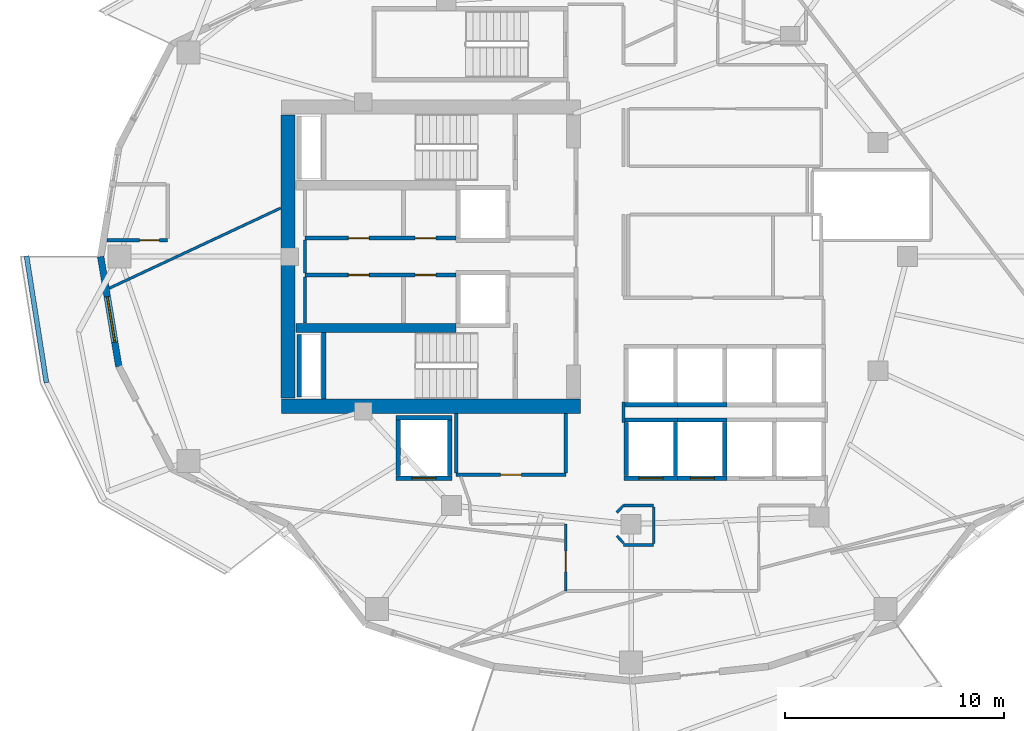
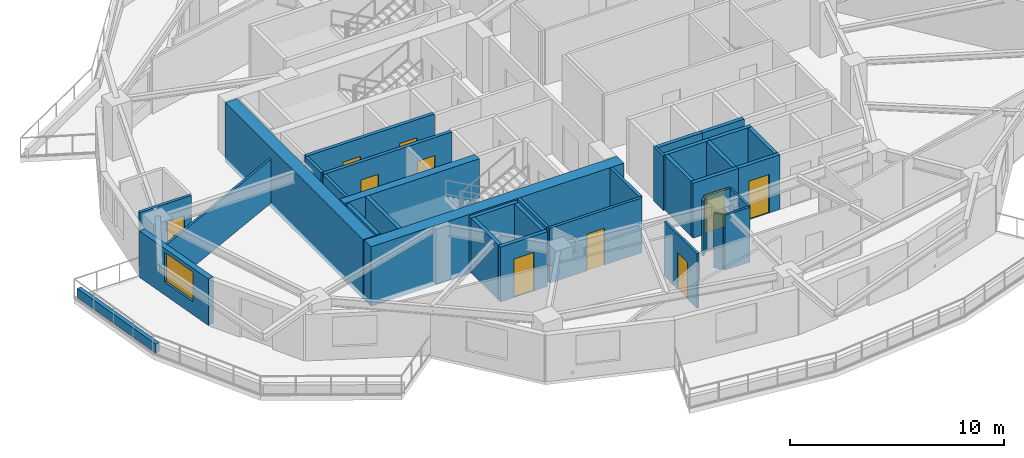
# One storey, part 3 of 14: 36 walls, 10 doors, 1 window, 11 openings.
"""IFC4 building model written with IfcOpenShell, lengths in metres."""

from ifc_helpers import new_model, si_unit, direction, frame, frame_2d, origin, place, context, subcontext, project, spatial, rectangle, extrude, material, layer, layer_set, type_object, element, fill, save


model = new_model("IFC4")

# Units and contexts
model_context = context("Model", 3, precision=1e-05, world=origin(), true_north=direction((0.0, 1.0)))
body_context = subcontext(model_context, "Body", "Model", "MODEL_VIEW")
ifc_project = project(units=[si_unit("LENGTHUNIT", "METRE"), si_unit("AREAUNIT", "SQUARE_METRE"), si_unit("VOLUMEUNIT", "CUBIC_METRE"), si_unit("PLANEANGLEUNIT", "RADIAN"), si_unit("MASSUNIT", "GRAM", prefix="KILO")], contexts=[model_context])

# Site, building, storey
site_placement = place(None, origin())
site = spatial("IfcSite", under=ifc_project, at=site_placement, CompositionType="ELEMENT")
building_placement = place(site_placement, origin())
building = spatial("IfcBuilding", under=site, at=building_placement, Name="Kolvaren Gate Tower and Convention Centre", CompositionType="ELEMENT")
storey_placement = place(building_placement, frame((0.0, 0.0, 118.89990234375)))
storey = spatial("IfcBuildingStorey", under=building, at=storey_placement, Name="L29", CompositionType="ELEMENT", Elevation=118.89990234375)

# Wall, openings, doors
ifc_material_1 = material(Name="Autoclaved Aerated Masonry Blockwork Class 4 (4.0 MPa)", Category="masonry")
ifc_layer_1 = layer(ifc_material_1, 0.179931640625)
ifc_layer_set_1 = layer_set([ifc_layer_1], Name="Autoclaved Aerated Masonry Blockwork Class 4 (4.0 MPa)")
wall_type_1 = type_object("IfcWallType", Name="ARCH-WL-COMP-180", PredefinedType="SOLIDWALL", material=ifc_layer_set_1)
wall_1_placement = place(storey_placement, frame((15.25, 27.840087890625, 0.0), z_axis=(0.0, 0.0, 1.0), x_axis=(1.0, 0.0, 0.0)))
wall_1 = element("IfcWall", 1, at=wall_1_placement, inside=storey, type_object=wall_type_1, Name="Interior Partition WL-L29-INT-005", PredefinedType="SOLIDWALL", context=body_context, shape_type="SweptSolid", body=[
    extrude(rectangle(XDim=6.89990234375, YDim=0.179931640625, at=frame_2d((3.449951171875, 0.0))), origin(), (0.0, 0.0, 1.0), 3.130126953125),
])
opening_1_placement = place(wall_1_placement, frame((5.02001953125, 0.0, 0.0)))
opening_1 = element("IfcOpeningElement", 2, at=opening_1_placement, cuts=wall_1, Name="Opening DR-01", PredefinedType="OPENING", context=body_context, shape_type="SweptSolid", body=[
    extrude(rectangle(XDim=0.949951171875, YDim=2.10009765625, at=frame_2d((0.47509765625, 1.050048828125))), frame((0.0, 0.099853515625, 0.0), z_axis=(0.0, -1.0, 0.0), x_axis=(1.0, 0.0, 0.0)), (0.0, 0.0, 1.0), 0.199951171875),
])
opening_2_placement = place(wall_1_placement, frame((1.97998046875, 0.0, 0.0)))
opening_2 = element("IfcOpeningElement", 3, at=opening_2_placement, cuts=wall_1, Name="Opening DR-01", PredefinedType="OPENING", context=body_context, shape_type="SweptSolid", body=[
    extrude(rectangle(XDim=0.949951171875, YDim=2.10009765625, at=frame_2d((0.47509765625, 1.050048828125))), frame((0.0, 0.099853515625, 0.0), z_axis=(0.0, -1.0, 0.0), x_axis=(1.0, 0.0, 0.0)), (0.0, 0.0, 1.0), 0.199951171875),
])
ifc_material_2 = material(Name="Painted Architectural Steelwork ASTM A500 Grade C 345 MPa", Category="steel")
door_type_1 = type_object("IfcDoorType", Name="ARCH-DR-RISER-950", OperationType="SINGLE_SWING_RIGHT", PredefinedType="DOOR", material=ifc_material_2)
door_1_placement = place(opening_1_placement, origin())
door_1 = element("IfcDoor", 4, at=door_1_placement, inside=storey, type_object=door_type_1, Name="Electrical Switchgear Closet Door", OperationType="SINGLE_SWING_LEFT", OverallHeight=2.10009765625, OverallWidth=0.949951171875, PredefinedType="DOOR", context=body_context, shape_type="SweptSolid", body=[
    extrude(rectangle(XDim=0.949951171875, YDim=2.10009765625, at=frame_2d((0.47509765625, 1.050048828125))), frame((0.0, 0.02490234375, 0.0), z_axis=(0.0, -1.0, 0.0), x_axis=(1.0, 0.0, 0.0)), (0.0, 0.0, 1.0), 0.050048828125),
])
fill(opening_1, door_1)
door_2_placement = place(opening_2_placement, origin())
door_2 = element("IfcDoor", 5, at=door_2_placement, inside=storey, type_object=door_type_1, Name="Staff Powder Washroom Door", OperationType="SINGLE_SWING_LEFT", OverallHeight=2.10009765625, OverallWidth=0.949951171875, PredefinedType="DOOR", context=body_context, shape_type="SweptSolid", body=[
    extrude(rectangle(XDim=0.949951171875, YDim=2.10009765625, at=frame_2d((0.47509765625, 1.050048828125))), frame((0.0, 0.02490234375, 0.0), z_axis=(0.0, -1.0, 0.0), x_axis=(1.0, 0.0, 0.0)), (0.0, 0.0, 1.0), 0.050048828125),
])
fill(opening_2, door_2)

wall_2_placement = place(storey_placement, frame((15.25, 26.159912109375, 0.0), z_axis=(0.0, 0.0, 1.0), x_axis=(1.0, 0.0, 0.0)))
wall_2 = element("IfcWall", 6, at=wall_2_placement, inside=storey, type_object=wall_type_1, Name="Interior Partition WL-L29-INT-006", PredefinedType="SOLIDWALL", context=body_context, shape_type="SweptSolid", body=[
    extrude(rectangle(XDim=6.89990234375, YDim=0.179931640625, at=frame_2d((3.449951171875, 0.0))), origin(), (0.0, 0.0, 1.0), 3.130126953125),
])
opening_3_placement = place(wall_2_placement, frame((5.02001953125, 0.0, 0.0)))
opening_3 = element("IfcOpeningElement", 7, at=opening_3_placement, cuts=wall_2, Name="Opening DR-01", PredefinedType="OPENING", context=body_context, shape_type="SweptSolid", body=[
    extrude(rectangle(XDim=0.949951171875, YDim=2.10009765625, at=frame_2d((0.47509765625, 1.050048828125))), frame((0.0, 0.099853515625, 0.0), z_axis=(0.0, -1.0, 0.0), x_axis=(1.0, 0.0, 0.0)), (0.0, 0.0, 1.0), 0.199951171875),
])
opening_4_placement = place(wall_2_placement, frame((1.97998046875, 0.0, 0.0)))
opening_4 = element("IfcOpeningElement", 8, at=opening_4_placement, cuts=wall_2, Name="Opening DR-01", PredefinedType="OPENING", context=body_context, shape_type="SweptSolid", body=[
    extrude(rectangle(XDim=0.949951171875, YDim=2.10009765625, at=frame_2d((0.47509765625, 1.050048828125))), frame((0.0, 0.099853515625, 0.0), z_axis=(0.0, -1.0, 0.0), x_axis=(1.0, 0.0, 0.0)), (0.0, 0.0, 1.0), 0.199951171875),
])
door_3_placement = place(opening_3_placement, origin())
door_3 = element("IfcDoor", 9, at=door_3_placement, inside=storey, type_object=door_type_1, Name="Domestic Water Meter Closet Door", OperationType="SINGLE_SWING_RIGHT", OverallHeight=2.10009765625, OverallWidth=0.949951171875, PredefinedType="DOOR", context=body_context, shape_type="SweptSolid", body=[
    extrude(rectangle(XDim=0.949951171875, YDim=2.10009765625, at=frame_2d((0.47509765625, 1.050048828125))), frame((0.0, 0.02490234375, 0.0), z_axis=(0.0, -1.0, 0.0), x_axis=(1.0, 0.0, 0.0)), (0.0, 0.0, 1.0), 0.050048828125),
])
fill(opening_3, door_3)
door_4_placement = place(opening_4_placement, origin())
door_4 = element("IfcDoor", 10, at=door_4_placement, inside=storey, type_object=door_type_1, Name="Janitor Equipment Store Door", OperationType="SINGLE_SWING_RIGHT", OverallHeight=2.10009765625, OverallWidth=0.949951171875, PredefinedType="DOOR", context=body_context, shape_type="SweptSolid", body=[
    extrude(rectangle(XDim=0.949951171875, YDim=2.10009765625, at=frame_2d((0.47509765625, 1.050048828125))), frame((0.0, 0.02490234375, 0.0), z_axis=(0.0, -1.0, 0.0), x_axis=(1.0, 0.0, 0.0)), (0.0, 0.0, 1.0), 0.050048828125),
])
fill(opening_4, door_4)

# Wall, opening, door
ifc_material_3 = material(Name="Fire-Rated Acoustic Gypsum Stud Partition", Category="gypsum")
ifc_layer_2 = layer(ifc_material_3, 0.1201171875)
ifc_layer_set_2 = layer_set([ifc_layer_2], Name="Fire-Rated Acoustic Gypsum Stud Partition")
wall_type_2 = type_object("IfcWallType", Name="ARCH-WL-PART-120", PredefinedType="PARTITIONING", material=ifc_layer_set_2)
wall_3_placement = place(storey_placement, frame((27.14990234375, 11.75, 0.0), z_axis=(0.0, 0.0, 1.0), x_axis=(0.0, 1.0, 0.0)))
wall_3 = element("IfcWall", 11, at=wall_3_placement, inside=storey, type_object=wall_type_2, Name="Interior Partition WL-L29-INT-012", PredefinedType="PARTITIONING", context=body_context, shape_type="SweptSolid", body=[
    extrude(rectangle(XDim=3.050048828125, YDim=0.1201171875, at=frame_2d((1.52490234375, 0.0))), origin(), (0.0, 0.0, 1.0), 3.130126953125),
])
opening_5_placement = place(wall_3_placement, frame((0.869873046875, 0.0, 0.0)))
opening_5 = element("IfcOpeningElement", 12, at=opening_5_placement, cuts=wall_3, Name="Opening DR-01", PredefinedType="OPENING", context=body_context, shape_type="SweptSolid", body=[
    extrude(rectangle(XDim=0.949951171875, YDim=2.10009765625, at=frame_2d((0.47509765625, 1.050048828125))), frame((0.0, 0.070068359375, 0.0), z_axis=(0.0, -1.0, 0.0), x_axis=(1.0, 0.0, 0.0)), (0.0, 0.0, 1.0), 0.14013671875),
])
door_5_placement = place(opening_5_placement, origin())
door_5 = element("IfcDoor", 13, at=door_5_placement, inside=storey, type_object=door_type_1, Name="Executive Seminar Conference Room Door", OperationType="SINGLE_SWING_RIGHT", OverallHeight=2.10009765625, OverallWidth=0.949951171875, PredefinedType="DOOR", context=body_context, shape_type="SweptSolid", body=[
    extrude(rectangle(XDim=0.949951171875, YDim=2.10009765625, at=frame_2d((0.47509765625, 1.050048828125))), frame((0.0, 0.02490234375, 0.0), z_axis=(0.0, -1.0, 0.0), x_axis=(1.0, 0.0, 0.0)), (0.0, 0.0, 1.0), 0.050048828125),
])
fill(opening_5, door_5)

# Walls
wall_4_placement = place(storey_placement, frame((29.780029296875, 15.64990234375, 0.0), z_axis=(0.0, 0.0, 1.0), x_axis=(1.0, 0.0, 0.0)))
element("IfcWall", 14, at=wall_4_placement, inside=storey, type_object=wall_type_2, Name="Interior Partition WL-L29-INT-025", PredefinedType="PARTITIONING", context=body_context, shape_type="SweptSolid", body=[
    extrude(rectangle(XDim=1.369873046875, YDim=0.1201171875, at=frame_2d((0.68505859375, 0.0))), origin(), (0.0, 0.0, 1.0), 3.130126953125),
])
wall_5_placement = place(storey_placement, frame((29.780029296875, 19.43994140625, 0.0), z_axis=(0.0, 0.0, 1.0), x_axis=(0.0, 1.0, 0.0)))
element("IfcWall", 15, at=wall_5_placement, inside=storey, type_object=wall_type_2, Name="Interior Partition WL-L29-INT-035", PredefinedType="PARTITIONING", context=body_context, shape_type="SweptSolid", body=[
    extrude(rectangle(XDim=0.920166015625, YDim=0.1201171875, at=frame_2d((0.4599609375, 0.0))), origin(), (0.0, 0.0, 1.0), 3.130126953125),
])
wall_6_placement = place(storey_placement, frame((29.47607421875, 15.3330078125, 0.0), z_axis=(0.0, 0.0, 1.0), x_axis=(0.692219273951, 0.721687243043, 0.0)))
element("IfcWall", 16, at=wall_6_placement, inside=storey, type_object=wall_type_2, Name="Interior Partition WL-L29-INT-051", PredefinedType="PARTITIONING", context=body_context, shape_type="SweptSolid", body=[
    extrude(rectangle(XDim=0.439208984375, YDim=0.1201171875, at=frame_2d((0.2197265625, 0.0))), origin(), (0.0, 0.0, 1.0), 3.130126953125),
])
wall_7_placement = place(storey_placement, frame((29.47607421875, 14.26708984375, 0.0), z_axis=(0.0, 0.0, 1.0), x_axis=(0.670659392016, -0.741765448037, 0.0)))
element("IfcWall", 17, at=wall_7_placement, inside=storey, type_object=wall_type_2, Name="Interior Partition WL-L29-INT-052", PredefinedType="PARTITIONING", context=body_context, shape_type="SweptSolid", body=[
    extrude(rectangle(XDim=0.453125, YDim=0.1201171875, at=frame_2d((0.2265625, 0.0))), origin(), (0.0, 0.0, 1.0), 3.130126953125),
])
wall_8_placement = place(storey_placement, frame((29.780029296875, 13.85009765625, 0.0), z_axis=(0.0, 0.0, 1.0), x_axis=(1.0, 0.0, 0.0)))
element("IfcWall", 18, at=wall_8_placement, inside=storey, type_object=wall_type_2, Name="Interior Partition WL-L29-INT-053", PredefinedType="PARTITIONING", context=body_context, shape_type="SweptSolid", body=[
    extrude(rectangle(XDim=1.369873046875, YDim=0.1201171875, at=frame_2d((0.68505859375, 0.0))), origin(), (0.0, 0.0, 1.0), 3.130126953125),
])
wall_9_placement = place(storey_placement, frame((31.14990234375, 13.912109375, 0.0), z_axis=(0.0, 0.0, 1.0), x_axis=(0.0, 1.0, 0.0)))
element("IfcWall", 19, at=wall_9_placement, inside=storey, type_object=wall_type_2, Name="Interior Partition WL-L29-INT-054", PredefinedType="PARTITIONING", context=body_context, shape_type="SweptSolid", body=[
    extrude(rectangle(XDim=1.67578125, YDim=0.1201171875, at=frame_2d((0.837890625, 0.0))), origin(), (0.0, 0.0, 1.0), 3.130126953125),
])
wall_10_placement = place(storey_placement, frame((6.3291015625, 25.556884765625, 0.0), z_axis=(0.0, 0.0, 1.0), x_axis=(0.905786782764, 0.423733765671, 0.0)))
element("IfcWall", 20, at=wall_10_placement, inside=storey, type_object=wall_type_2, Name="Interior Partition WL-L29-INT-055", PredefinedType="PARTITIONING", context=body_context, shape_type="SweptSolid", body=[
    extrude(rectangle(XDim=8.632080078125, YDim=0.1201171875, at=frame_2d((4.31591796875, 0.0))), origin(), (0.0, 0.0, 1.0), 2.505126953125),
])
ifc_material_4 = material(Name="Piedmont Cream Honed Limestone Cladding", Category="masonry")
ifc_layer_3 = layer(ifc_material_4, 0.219970703125)
ifc_layer_set_3 = layer_set([ifc_layer_3], Name="Piedmont Cream Honed Limestone Cladding")
wall_type_3 = type_object("IfcWallType", Name="ARCH-WL-PLANTER-220", PredefinedType="PARAPET", material=ifc_layer_set_3)
wall_11_placement = place(storey_placement, frame((2.555908203125, 27.029296875, 0.0), z_axis=(0.0, 0.0, 1.0), x_axis=(0.154903030247, -0.987929679289, 0.0)))
element("IfcWall", 21, at=wall_11_placement, inside=storey, type_object=wall_type_3, Name="Vertical-Forest Balcony Stone Planter Kerb PK-L29-2.1", PredefinedType="PARAPET", context=body_context, shape_type="SweptSolid", body=[
    extrude(rectangle(XDim=5.845703125, YDim=0.219970703125, at=frame_2d((2.9228515625, 0.0))), origin(), (0.0, 0.0, 1.0), 0.52001953125),
])
ifc_layer_4 = layer(ifc_material_1, 0.199951171875)
ifc_layer_set_4 = layer_set([ifc_layer_4], Name="Autoclaved Aerated Masonry Blockwork Class 4 (4.0 MPa)")
wall_type_4 = type_object("IfcWallType", Name="ARCH-WL-SHAFT-200", PredefinedType="SOLIDWALL", material=ifc_layer_set_4)
wall_12_placement = place(storey_placement, frame((19.39990234375, 19.64990234375, 0.0), z_axis=(0.0, 0.0, 1.0), x_axis=(1.0, 0.0, 0.0)))
element("IfcWall", 22, at=wall_12_placement, inside=storey, type_object=wall_type_4, Name="Elevator SV-01 L29 Fire Shaft Wall N", PredefinedType="SOLIDWALL", context=body_context, shape_type="SweptSolid", body=[
    extrude(rectangle(XDim=2.550048828125, YDim=0.199951171875, at=frame_2d((1.27490234375, 0.0))), origin(), (0.0, 0.0, 1.0), 3.130126953125),
])

# Wall, opening, door
wall_13_placement = place(storey_placement, frame((19.39990234375, 16.89990234375, 0.0), z_axis=(0.0, 0.0, 1.0), x_axis=(1.0, 0.0, 0.0)))
wall_13 = element("IfcWall", 23, at=wall_13_placement, inside=storey, type_object=wall_type_4, Name="Elevator SV-01 L29 Fire Shaft Wall S", PredefinedType="SOLIDWALL", context=body_context, shape_type="SweptSolid", body=[
    extrude(rectangle(XDim=2.550048828125, YDim=0.199951171875, at=frame_2d((1.27490234375, 0.0))), origin(), (0.0, 0.0, 1.0), 3.130126953125),
])
opening_6_placement = place(wall_13_placement, frame((0.72509765625, 0.0, 0.0)))
opening_6 = element("IfcOpeningElement", 24, at=opening_6_placement, cuts=wall_13, Name="Opening LD", PredefinedType="OPENING", context=body_context, shape_type="SweptSolid", body=[
    extrude(rectangle(XDim=1.10009765625, YDim=2.199951171875, at=frame_2d((0.550048828125, 1.10009765625))), frame((0.0, 0.10986328125, 0.0), z_axis=(0.0, -1.0, 0.0), x_axis=(1.0, 0.0, 0.0)), (0.0, 0.0, 1.0), 0.219970703125),
])
ifc_material_5 = material(Name="Brushed Stainless Steel Grade 316L", Category="steel")
door_type_2 = type_object("IfcDoorType", Name="ARCH-DR-LIFT-1100", OperationType="SLIDING_TO_LEFT", PredefinedType="DOOR", material=ifc_material_5)
door_6_placement = place(opening_6_placement, origin())
door_6 = element("IfcDoor", 25, at=door_6_placement, inside=storey, type_object=door_type_2, Name="Elevator SV-01 L29 Sliding Landing Door", OperationType="SLIDING_TO_LEFT", OverallHeight=2.199951171875, OverallWidth=1.10009765625, PredefinedType="DOOR", context=body_context, shape_type="SweptSolid", body=[
    extrude(rectangle(XDim=1.10009765625, YDim=2.199951171875, at=frame_2d((0.550048828125, 1.10009765625))), frame((0.0, 0.02490234375, 0.0), z_axis=(0.0, -1.0, 0.0), x_axis=(1.0, 0.0, 0.0)), (0.0, 0.0, 1.0), 0.050048828125),
])
fill(opening_6, door_6)

# Walls
for number, where, z_axis, x_axis, name in (
    (26, (19.5, 17.010009765625, 0.0), (0.0, 0.0, 1.0), (0.0, 1.0, 0.0), "Elevator SV-01 L29 Fire Shaft Wall W"),
    (27, (21.85009765625, 17.010009765625, 0.0), (0.0, 0.0, 1.0), (0.0, 1.0, 0.0), "Elevator SV-01 L29 Fire Shaft Wall E"),
):
    element("IfcWall", number, at=place(storey_placement, frame(where, z_axis=z_axis, x_axis=x_axis)), inside=storey, type_object=wall_type_4, Name=name, PredefinedType="SOLIDWALL", context=body_context, shape_type="SweptSolid", body=[
        extrude(rectangle(XDim=2.530029296875, YDim=0.199951171875, at=frame_2d((1.26513671875, 0.0))), origin(), (0.0, 0.0, 1.0), 3.130126953125),
    ])
wall_14_placement = place(storey_placement, frame((29.800048828125, 19.550048828125, 0.0), z_axis=(0.0, 0.0, 1.0), x_axis=(1.0, 0.0, 0.0)))
element("IfcWall", 28, at=wall_14_placement, inside=storey, type_object=wall_type_4, Name="Elevator PL-05 L29 Fire Shaft Wall N", PredefinedType="SOLIDWALL", context=body_context, shape_type="SweptSolid", body=[
    extrude(rectangle(XDim=2.449951171875, YDim=0.199951171875, at=frame_2d((1.22509765625, 0.0))), origin(), (0.0, 0.0, 1.0), 3.130126953125),
])

# Wall, opening, door
wall_15_placement = place(storey_placement, frame((29.800048828125, 16.89990234375, 0.0), z_axis=(0.0, 0.0, 1.0), x_axis=(1.0, 0.0, 0.0)))
wall_15 = element("IfcWall", 29, at=wall_15_placement, inside=storey, type_object=wall_type_4, Name="Elevator PL-05 L29 Fire Shaft Wall S", PredefinedType="SOLIDWALL", context=body_context, shape_type="SweptSolid", body=[
    extrude(rectangle(XDim=2.449951171875, YDim=0.199951171875, at=frame_2d((1.22509765625, 0.0))), origin(), (0.0, 0.0, 1.0), 3.130126953125),
])
opening_7_placement = place(wall_15_placement, frame((0.675048828125, 0.0, 0.0)))
opening_7 = element("IfcOpeningElement", 30, at=opening_7_placement, cuts=wall_15, Name="Opening LD", PredefinedType="OPENING", context=body_context, shape_type="SweptSolid", body=[
    extrude(rectangle(XDim=1.10009765625, YDim=2.199951171875, at=frame_2d((0.550048828125, 1.10009765625))), frame((0.0, 0.10986328125, 0.0), z_axis=(0.0, -1.0, 0.0), x_axis=(1.0, 0.0, 0.0)), (0.0, 0.0, 1.0), 0.219970703125),
])
door_7_placement = place(opening_7_placement, origin())
door_7 = element("IfcDoor", 31, at=door_7_placement, inside=storey, type_object=door_type_2, Name="Elevator PL-05 L29 Sliding Landing Door", OperationType="SLIDING_TO_LEFT", OverallHeight=2.199951171875, OverallWidth=1.10009765625, PredefinedType="DOOR", context=body_context, shape_type="SweptSolid", body=[
    extrude(rectangle(XDim=1.10009765625, YDim=2.199951171875, at=frame_2d((0.550048828125, 1.10009765625))), frame((0.0, 0.02490234375, 0.0), z_axis=(0.0, -1.0, 0.0), x_axis=(1.0, 0.0, 0.0)), (0.0, 0.0, 1.0), 0.050048828125),
])
fill(opening_7, door_7)

# Walls
for number, where, z_axis, x_axis, name in (
    (32, (29.89990234375, 17.010009765625, 0.0), (0.0, 0.0, 1.0), (0.0, 1.0, 0.0), "Elevator PL-05 L29 Fire Shaft Wall W"),
    (33, (32.14990234375, 17.010009765625, 0.0), (0.0, 0.0, 1.0), (0.0, 1.0, 0.0), "Elevator PL-05 L29 Fire Shaft Wall E"),
):
    element("IfcWall", number, at=place(storey_placement, frame(where, z_axis=z_axis, x_axis=x_axis)), inside=storey, type_object=wall_type_4, Name=name, PredefinedType="SOLIDWALL", context=body_context, shape_type="SweptSolid", body=[
        extrude(rectangle(XDim=2.429931640625, YDim=0.199951171875, at=frame_2d((1.21484375, 0.0))), origin(), (0.0, 0.0, 1.0), 3.130126953125),
    ])
wall_16_placement = place(storey_placement, frame((32.25, 19.550048828125, 0.0), z_axis=(0.0, 0.0, 1.0), x_axis=(1.0, 0.0, 0.0)))
element("IfcWall", 34, at=wall_16_placement, inside=storey, type_object=wall_type_4, Name="Elevator PL-06 L29 Fire Shaft Wall N", PredefinedType="SOLIDWALL", context=body_context, shape_type="SweptSolid", body=[
    extrude(rectangle(XDim=2.25, YDim=0.199951171875, at=frame_2d((1.125, 0.0))), origin(), (0.0, 0.0, 1.0), 3.130126953125),
])

# Wall, opening, door
wall_17_placement = place(storey_placement, frame((32.25, 16.89990234375, 0.0), z_axis=(0.0, 0.0, 1.0), x_axis=(1.0, 0.0, 0.0)))
wall_17 = element("IfcWall", 35, at=wall_17_placement, inside=storey, type_object=wall_type_4, Name="Elevator PL-06 L29 Fire Shaft Wall S", PredefinedType="SOLIDWALL", context=body_context, shape_type="SweptSolid", body=[
    extrude(rectangle(XDim=2.25, YDim=0.199951171875, at=frame_2d((1.125, 0.0))), origin(), (0.0, 0.0, 1.0), 3.130126953125),
])
opening_8_placement = place(wall_17_placement, frame((0.574951171875, 0.0, 0.0)))
opening_8 = element("IfcOpeningElement", 36, at=opening_8_placement, cuts=wall_17, Name="Opening LD", PredefinedType="OPENING", context=body_context, shape_type="SweptSolid", body=[
    extrude(rectangle(XDim=1.10009765625, YDim=2.199951171875, at=frame_2d((0.550048828125, 1.10009765625))), frame((0.0, 0.10986328125, 0.0), z_axis=(0.0, -1.0, 0.0), x_axis=(1.0, 0.0, 0.0)), (0.0, 0.0, 1.0), 0.219970703125),
])
door_8_placement = place(opening_8_placement, origin())
door_8 = element("IfcDoor", 37, at=door_8_placement, inside=storey, type_object=door_type_2, Name="Elevator PL-06 L29 Sliding Landing Door", OperationType="SLIDING_TO_LEFT", OverallHeight=2.199951171875, OverallWidth=1.10009765625, PredefinedType="DOOR", context=body_context, shape_type="SweptSolid", body=[
    extrude(rectangle(XDim=1.10009765625, YDim=2.199951171875, at=frame_2d((0.550048828125, 1.10009765625))), frame((0.0, 0.02490234375, 0.0), z_axis=(0.0, -1.0, 0.0), x_axis=(1.0, 0.0, 0.0)), (0.0, 0.0, 1.0), 0.050048828125),
])
fill(opening_8, door_8)

# Walls
wall_18_placement = place(storey_placement, frame((34.39990234375, 17.010009765625, 0.0), z_axis=(0.0, 0.0, 1.0), x_axis=(0.0, 1.0, 0.0)))
element("IfcWall", 38, at=wall_18_placement, inside=storey, type_object=wall_type_4, Name="Elevator PL-06 L29 Fire Shaft Wall E", PredefinedType="SOLIDWALL", context=body_context, shape_type="SweptSolid", body=[
    extrude(rectangle(XDim=2.429931640625, YDim=0.199951171875, at=frame_2d((1.21484375, 0.0))), origin(), (0.0, 0.0, 1.0), 3.130126953125),
])
wall_19_placement = place(storey_placement, frame((29.800048828125, 20.25, 0.0), z_axis=(0.0, 0.0, 1.0), x_axis=(1.0, 0.0, 0.0)))
element("IfcWall", 39, at=wall_19_placement, inside=storey, type_object=wall_type_4, Name="Elevator PL-09 L29 Fire Shaft Wall S", PredefinedType="SOLIDWALL", context=body_context, shape_type="SweptSolid", body=[
    extrude(rectangle(XDim=2.449951171875, YDim=0.199951171875, at=frame_2d((1.22509765625, 0.0))), origin(), (0.0, 0.0, 1.0), 3.130126953125),
])
wall_20_placement = place(storey_placement, frame((32.25, 20.25, 0.0), z_axis=(0.0, 0.0, 1.0), x_axis=(1.0, 0.0, 0.0)))
element("IfcWall", 40, at=wall_20_placement, inside=storey, type_object=wall_type_4, Name="Elevator PL-10 L29 Fire Shaft Wall S", PredefinedType="SOLIDWALL", context=body_context, shape_type="SweptSolid", body=[
    extrude(rectangle(XDim=2.25, YDim=0.199951171875, at=frame_2d((1.125, 0.0))), origin(), (0.0, 0.0, 1.0), 3.130126953125),
])
wall_21_placement = place(storey_placement, frame((14.989990234375, 20.60009765625, 0.0), z_axis=(0.0, 0.0, 1.0), x_axis=(0.0, 1.0, 0.0)))
element("IfcWall", 41, at=wall_21_placement, inside=storey, type_object=wall_type_4, Name="Vertical Shaft MPR L29 EI-120 Enclosure Wall W", PredefinedType="SOLIDWALL", context=body_context, shape_type="SweptSolid", body=[
    extrude(rectangle(XDim=2.849853515625, YDim=0.199951171875, at=frame_2d((1.4248046875, 0.0))), origin(), (0.0, 0.0, 1.0), 3.130126953125),
])

# Wall, opening, window
ifc_layer_5 = layer(ifc_material_4, 0.300048828125)
ifc_layer_set_5 = layer_set([ifc_layer_5], Name="Piedmont Cream Honed Limestone Cladding")
wall_type_5 = type_object("IfcWallType", Name="ARCH-WL-STONE-300", PredefinedType="SOLIDWALL", material=ifc_layer_set_5)
wall_22_placement = place(storey_placement, frame((5.9375, 27.0, 0.0), z_axis=(0.0, 0.0, 1.0), x_axis=(0.162393944769, -0.986726003864, 0.0)))
wall_22 = element("IfcWall", 42, at=wall_22_placement, inside=storey, type_object=wall_type_5, Name="Tower L29 Honed Stone Spandrel Wall EW-12", PredefinedType="SOLIDWALL", context=body_context, shape_type="SweptSolid", body=[
    extrude(rectangle(XDim=5.075439453125, YDim=0.300048828125, at=frame_2d((2.53759765625, 0.0))), origin(), (0.0, 0.0, 1.0), 2.653076171875),
])
opening_9_placement = place(wall_22_placement, frame((1.85009765625, 0.0, 0.739990234375)))
opening_9 = element("IfcOpeningElement", 43, at=opening_9_placement, cuts=wall_22, Name="Opening W-02", PredefinedType="OPENING", context=body_context, shape_type="SweptSolid", body=[
    extrude(rectangle(XDim=2.10009765625, YDim=1.699951171875, at=frame_2d((1.050048828125, 0.85009765625))), frame((0.0, 0.159912109375, 0.0), z_axis=(0.0, -1.0, 0.0), x_axis=(1.0, 0.0, 0.0)), (0.0, 0.0, 1.0), 0.320068359375),
])
ifc_material_6 = material(Name="Low-E Triple Insulated Glazing Unit 44 mm", Category="glass")
window_type = type_object("IfcWindowType", Name="ARCH-WN-HTL-2100", PartitioningType="SINGLE_PANEL", PredefinedType="WINDOW", material=ifc_material_6)
window_placement = place(opening_9_placement, origin())
window = element("IfcWindow", 44, at=window_placement, inside=storey, type_object=window_type, Name="Tower L29 Punched Stone Facade Window W-12", OverallHeight=1.699951171875, OverallWidth=2.10009765625, PartitioningType="SINGLE_PANEL", PredefinedType="WINDOW", context=body_context, shape_type="SweptSolid", body=[
    extrude(rectangle(XDim=2.10009765625, YDim=1.699951171875, at=frame_2d((1.050048828125, 0.85009765625))), frame((0.0, 0.030029296875, 0.0), z_axis=(0.0, -1.0, 0.0), x_axis=(1.0, 0.0, 0.0)), (0.0, 0.0, 1.0), 0.06005859375),
])
fill(opening_9, window)

# Walls
ifc_material_7 = material(Name="Moisture-Resistant Cement-Board Acoustic Partition", Category="gypsum")
ifc_layer_6 = layer(ifc_material_7, 0.14990234375)
ifc_layer_set_6 = layer_set([ifc_layer_6], Name="Moisture-Resistant Cement-Board Acoustic Partition")
wall_type_6 = type_object("IfcWallType", Name="ARCH-WL-WET-150", PredefinedType="PARTITIONING", material=ifc_layer_set_6)
wall_23_placement = place(storey_placement, frame((15.25, 23.9619140625, 0.0), z_axis=(0.0, 0.0, 1.0), x_axis=(0.0, 1.0, 0.0)))
element("IfcWall", 45, at=wall_23_placement, inside=storey, type_object=wall_type_6, Name="Interior Partition WL-L29-INT-007", PredefinedType="PARTITIONING", context=body_context, shape_type="SweptSolid", body=[
    extrude(rectangle(XDim=2.106201171875, YDim=0.14990234375, at=frame_2d((1.05322265625, 0.0))), origin(), (0.0, 0.0, 1.0), 3.130126953125),
])
wall_24_placement = place(storey_placement, frame((15.25, 26.251953125, 0.0), z_axis=(0.0, 0.0, 1.0), x_axis=(0.0, 1.0, 0.0)))
element("IfcWall", 46, at=wall_24_placement, inside=storey, type_object=wall_type_6, Name="Interior Partition WL-L29-INT-007 (2)", PredefinedType="PARTITIONING", context=body_context, shape_type="SweptSolid", body=[
    extrude(rectangle(XDim=1.49609375, YDim=0.14990234375, at=frame_2d((0.748046875, 0.0))), origin(), (0.0, 0.0, 1.0), 3.130126953125),
])

# Wall, opening, door
wall_25_placement = place(storey_placement, frame((22.14990234375, 17.050048828125, 0.0), z_axis=(0.0, 0.0, 1.0), x_axis=(1.0, 0.0, 0.0)))
wall_25 = element("IfcWall", 47, at=wall_25_placement, inside=storey, type_object=wall_type_6, Name="Interior Partition WL-L29-INT-010", PredefinedType="PARTITIONING", context=body_context, shape_type="SweptSolid", body=[
    extrude(rectangle(XDim=5.0, YDim=0.14990234375, at=frame_2d((2.5, 0.0))), origin(), (0.0, 0.0, 1.0), 3.130126953125),
])
opening_10_placement = place(wall_25_placement, frame((2.02490234375, 0.0, 0.0)))
opening_10 = element("IfcOpeningElement", 48, at=opening_10_placement, cuts=wall_25, Name="Opening DR-01", PredefinedType="OPENING", context=body_context, shape_type="SweptSolid", body=[
    extrude(rectangle(XDim=0.949951171875, YDim=2.10009765625, at=frame_2d((0.47509765625, 1.050048828125))), frame((0.0, 0.0849609375, 0.0), z_axis=(0.0, -1.0, 0.0), x_axis=(1.0, 0.0, 0.0)), (0.0, 0.0, 1.0), 0.169921875),
])
door_9_placement = place(opening_10_placement, origin())
door_9 = element("IfcDoor", 49, at=door_9_placement, inside=storey, type_object=door_type_1, Name="West Linen and Supply Store Door", OperationType="SINGLE_SWING_LEFT", OverallHeight=2.10009765625, OverallWidth=0.949951171875, PredefinedType="DOOR", context=body_context, shape_type="SweptSolid", body=[
    extrude(rectangle(XDim=0.949951171875, YDim=2.10009765625, at=frame_2d((0.47509765625, 1.050048828125))), frame((0.0, 0.02490234375, 0.0), z_axis=(0.0, -1.0, 0.0), x_axis=(1.0, 0.0, 0.0)), (0.0, 0.0, 1.0), 0.050048828125),
])
fill(opening_10, door_9)

# Walls
for number, where, z_axis, x_axis, name in (
    (50, (22.14990234375, 17.126953125, 0.0), (0.0, 0.0, 1.0), (0.0, 1.0, 0.0), "Interior Partition WL-L29-INT-011"),
    (51, (27.14990234375, 17.126953125, 0.0), (0.0, 0.0, 1.0), (0.0, 1.0, 0.0), "Interior Partition WL-L29-INT-013"),
):
    element("IfcWall", number, at=place(storey_placement, frame(where, z_axis=z_axis, x_axis=x_axis)), inside=storey, type_object=wall_type_6, Name=name, PredefinedType="PARTITIONING", context=body_context, shape_type="SweptSolid", body=[
        extrude(rectangle(XDim=2.720947265625, YDim=0.14990234375, at=frame_2d((1.3603515625, 0.0))), origin(), (0.0, 0.0, 1.0), 3.130126953125),
    ])

# Wall, opening, door
wall_26_placement = place(storey_placement, frame((6.215087890625, 27.75, 0.0), z_axis=(0.0, 0.0, 1.0), x_axis=(1.0, 0.0, 0.0)))
wall_26 = element("IfcWall", 52, at=wall_26_placement, inside=storey, type_object=wall_type_6, Name="Interior Partition WL-L29-INT-063", PredefinedType="PARTITIONING", context=body_context, shape_type="SweptSolid", body=[
    extrude(rectangle(XDim=2.77392578125, YDim=0.14990234375, at=frame_2d((1.386962890625, 0.0))), origin(), (0.0, 0.0, 1.0), 3.130126953125),
])
opening_11_placement = place(wall_26_placement, frame((1.4970703125, 0.0, 0.0)))
opening_11 = element("IfcOpeningElement", 53, at=opening_11_placement, cuts=wall_26, Name="Opening DW-01", PredefinedType="OPENING", context=body_context, shape_type="SweptSolid", body=[
    extrude(rectangle(XDim=0.89990234375, YDim=2.10009765625, at=frame_2d((0.449951171875, 1.050048828125))), frame((0.0, 0.0849609375, 0.0), z_axis=(0.0, -1.0, 0.0), x_axis=(1.0, 0.0, 0.0)), (0.0, 0.0, 1.0), 0.169921875),
])
ifc_material_8 = material(Name="FSC Andean Oak Engineered Veneer Door Leaf", Category="wood")
door_type_3 = type_object("IfcDoorType", Name="ARCH-DR-WC-900", OperationType="SINGLE_SWING_RIGHT", PredefinedType="DOOR", material=ifc_material_8)
door_10_placement = place(opening_11_placement, origin())
door_10 = element("IfcDoor", 54, at=door_10_placement, inside=storey, type_object=door_type_3, Name="En-suite Bathroom (HTL-L29-09) Door", OperationType="SINGLE_SWING_RIGHT", OverallHeight=2.10009765625, OverallWidth=0.89990234375, PredefinedType="DOOR", context=body_context, shape_type="SweptSolid", body=[
    extrude(rectangle(XDim=0.89990234375, YDim=2.10009765625, at=frame_2d((0.449951171875, 1.050048828125))), frame((0.0, 0.02490234375, 0.0), z_axis=(0.0, -1.0, 0.0), x_axis=(1.0, 0.0, 0.0)), (0.0, 0.0, 1.0), 0.050048828125),
])
fill(opening_11, door_10)

# Walls
ifc_material_9 = material(Name="Concrete C50/60", Category="concrete")
ifc_layer_7 = layer(ifc_material_9, 0.419921875)
ifc_layer_set_7 = layer_set([ifc_layer_7], Name="Concrete C50/60")
wall_type_7 = type_object("IfcWallType", Name="STR-WL-CONV-420", PredefinedType="SHEAR", material=ifc_layer_set_7)
wall_27_placement = place(storey_placement, frame((14.85009765625, 23.75, -0.27001953125), z_axis=(0.0, 0.0, 1.0), x_axis=(1.0, 0.0, 0.0)))
element("IfcWall", 55, at=wall_27_placement, inside=storey, type_object=wall_type_7, Name="Tower L29 Offset Core Shear Wall WS", PredefinedType="SHEAR", context=body_context, shape_type="SweptSolid", body=[
    extrude(rectangle(XDim=7.2998046875, YDim=0.419921875, at=frame_2d((3.64990234375, 0.0))), origin(), (0.0, 0.0, 1.0), 3.400146484375),
])
ifc_material_10 = material(Name="Concrete C60/75", Category="concrete")
ifc_layer_8 = layer(ifc_material_10, 0.64990234375)
ifc_layer_set_8 = layer_set([ifc_layer_8], Name="Concrete C60/75")
wall_type_8 = type_object("IfcWallType", Name="STR-WL-CORE-650", PredefinedType="SHEAR", material=ifc_layer_set_8)
wall_28_placement = place(storey_placement, frame((14.175048828125, 20.175048828125, -0.27001953125), z_axis=(0.0, 0.0, 1.0), x_axis=(1.0, 0.0, 0.0)))
element("IfcWall", 56, at=wall_28_placement, inside=storey, type_object=wall_type_8, Name="Tower L29 Offset Core Shear Wall S", PredefinedType="SHEAR", context=body_context, shape_type="SweptSolid", body=[
    extrude(rectangle(XDim=13.64990234375, YDim=0.64990234375, at=frame_2d((6.824951171875, 0.0))), origin(), (0.0, 0.0, 1.0), 3.400146484375),
])
wall_29_placement = place(storey_placement, frame((14.47509765625, 20.550048828125, -0.27001953125), z_axis=(0.0, 0.0, 1.0), x_axis=(0.0, 1.0, 0.0)))
element("IfcWall", 57, at=wall_29_placement, inside=storey, type_object=wall_type_8, Name="Tower L29 Offset Core Shear Wall W", PredefinedType="SHEAR", context=body_context, shape_type="SweptSolid", body=[
    extrude(rectangle(XDim=12.89990234375, YDim=0.64990234375, at=frame_2d((6.449951171875, 0.0))), origin(), (0.0, 0.0, 1.0), 3.400146484375),
])
ifc_layer_9 = layer(ifc_material_9, 0.199951171875)
ifc_layer_set_9 = layer_set([ifc_layer_9], Name="Concrete C50/60")
wall_type_9 = type_object("IfcWallType", Name="STR-WL-SHAFT-200", PredefinedType="SHEAR", material=ifc_layer_set_9)
wall_30_placement = place(storey_placement, frame((16.10009765625, 20.501953125, -0.27001953125), z_axis=(0.0, 0.0, 1.0), x_axis=(0.0, 1.0, 0.0)))
element("IfcWall", 58, at=wall_30_placement, inside=storey, type_object=wall_type_9, Name="Tower South Exit Stair ST-T2 L29 Structural Shear Enclosure Wall FAR", PredefinedType="SHEAR", context=body_context, shape_type="SweptSolid", body=[
    extrude(rectangle(XDim=3.0361328125, YDim=0.199951171875, at=frame_2d((1.51806640625, 0.0))), origin(), (0.0, 0.0, 1.0), 3.400146484375),
])

save(model, "model.ifc")
